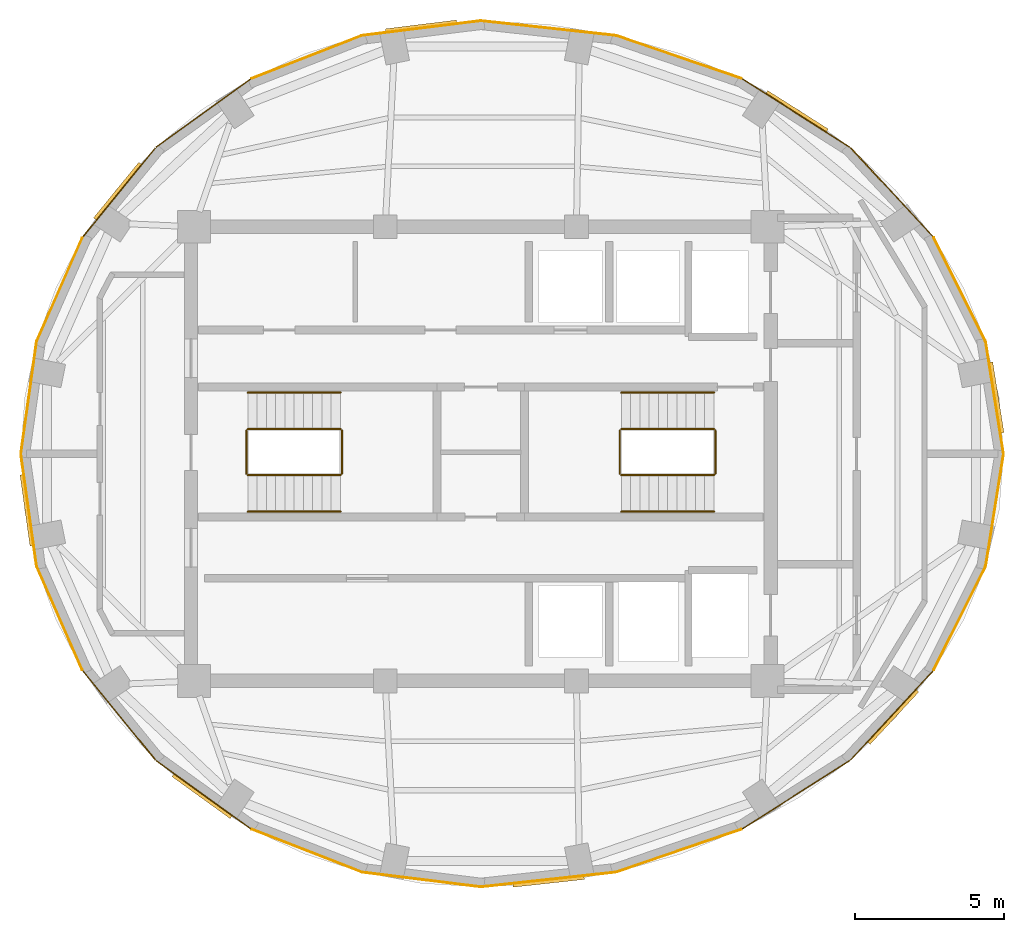
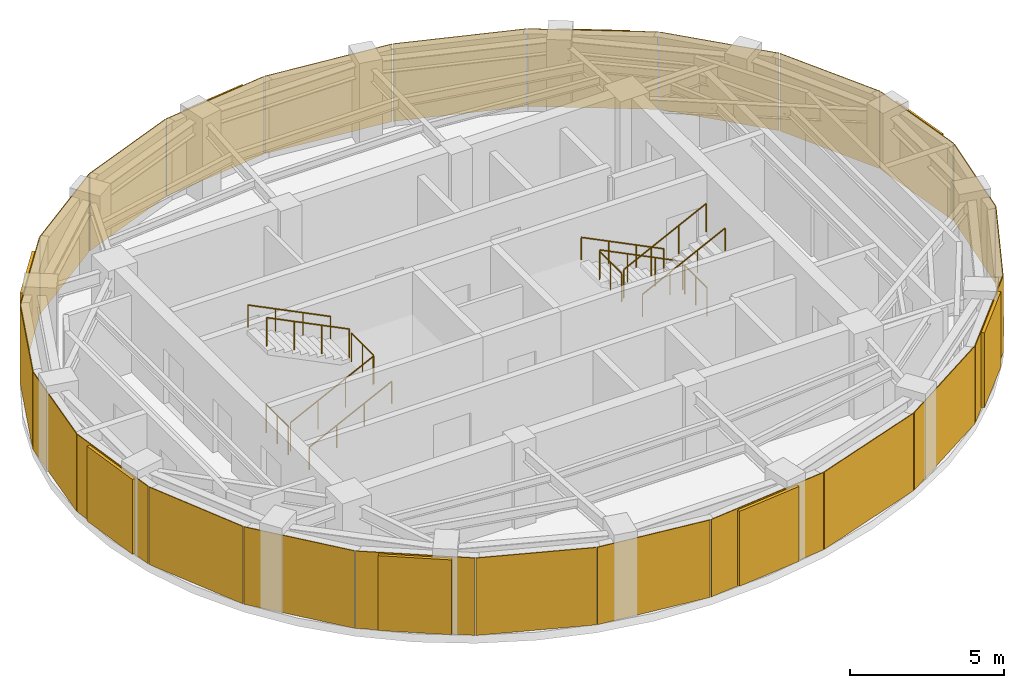
# One storey, part 5 of 5: 24 coverings, 12 railings, 8 shading devices.
"""IFC4 building model written with IfcOpenShell, lengths in metres."""

from ifc_helpers import new_model, si_unit, direction, frame, origin, origin_2d, place, context, subcontext, project, spatial, rectangle, circle, extrude, material, layer, layer_set, type_object, element, save


model = new_model("IFC4")

# Units and contexts
model_context = context("Model", 3, precision=1e-05, world=origin(), true_north=direction((0.0, 1.0)))
body_context = subcontext(model_context, "Body", "Model", "MODEL_VIEW")
ifc_project = project(units=[si_unit("LENGTHUNIT", "METRE"), si_unit("AREAUNIT", "SQUARE_METRE"), si_unit("VOLUMEUNIT", "CUBIC_METRE"), si_unit("PLANEANGLEUNIT", "RADIAN"), si_unit("MASSUNIT", "GRAM", prefix="KILO")], contexts=[model_context])

# Site, building, storey
site_placement = place(None, origin())
site = spatial("IfcSite", under=ifc_project, at=site_placement, CompositionType="ELEMENT")
building_placement = place(site_placement, origin())
building = spatial("IfcBuilding", under=site, at=building_placement, Name="Lazwardi Medical Tower", CompositionType="ELEMENT")
storey_placement = place(building_placement, frame((0.0, 0.0, 302.447998046875)))
storey = spatial("IfcBuildingStorey", under=building, at=storey_placement, Name="L79", CompositionType="ELEMENT", Elevation=302.447998046875)

# Coverings
ifc_material_1 = material(Name="Anodised bronze aluminium cassette cladding", Category="aluminium")
ifc_layer = layer(ifc_material_1, 0.030029296875)
ifc_layer_set = layer_set([ifc_layer], Name="Anodised bronze aluminium cassette cladding")
covering_type = type_object("IfcCoveringType", Name="COV-CLD-BRZ", PredefinedType="CLADDING", material=ifc_layer_set)
covering_1_placement = place(storey_placement, frame((38.260498046875, 13.752197265625, 0.0), z_axis=(0.0, 0.0, 1.0), x_axis=(0.994125867428, 0.108230123855, 0.0)))
element("IfcCovering", 1, at=covering_1_placement, inside=storey, type_object=covering_type, Name="L79 Bronzed crown drum cassette cladding", PredefinedType="CLADDING", context=body_context, shape_type="SweptSolid", body=[
    extrude(rectangle(XDim=4.514404296875, YDim=0.030029296875, at=origin_2d()), origin(), (0.0, 0.0, 1.0), 3.068115234375),
])
covering_2_placement = place(storey_placement, frame((42.62841796875, 14.72021484375, 0.0), z_axis=(0.0, 0.0, 1.0), x_axis=(0.946033335117, 0.324069327223, 0.0)))
element("IfcCovering", 2, at=covering_2_placement, inside=storey, type_object=covering_type, Name="L79 Bronzed crown drum cassette cladding", PredefinedType="CLADDING", context=body_context, shape_type="SweptSolid", body=[
    extrude(rectangle(XDim=4.420654296875, YDim=0.030029296875, at=origin_2d()), origin(), (0.0, 0.0, 1.0), 3.068115234375),
])
covering_3_placement = place(storey_placement, frame((46.547607421875, 16.591552734375, 0.0), z_axis=(0.0, 0.0, 1.0), x_axis=(0.84434288828, 0.535803216686, 0.0)))
element("IfcCovering", 3, at=covering_3_placement, inside=storey, type_object=covering_type, Name="L79 Bronzed crown drum cassette cladding", PredefinedType="CLADDING", context=body_context, shape_type="SweptSolid", body=[
    extrude(rectangle(XDim=4.253173828125, YDim=0.030029296875, at=origin_2d()), origin(), (0.0, 0.0, 1.0), 3.068115234375),
])
covering_4_placement = place(storey_placement, frame((49.751220703125, 19.240966796875, 0.0), z_axis=(0.0, 0.0, 1.0), x_axis=(0.680177307104, 0.733047632082, 0.0)))
element("IfcCovering", 4, at=covering_4_placement, inside=storey, type_object=covering_type, Name="L79 Bronzed crown drum cassette cladding", PredefinedType="CLADDING", context=body_context, shape_type="SweptSolid", body=[
    extrude(rectangle(XDim=4.051513671875, YDim=0.030029296875, at=origin_2d()), origin(), (0.0, 0.0, 1.0), 3.068115234375),
])
covering_5_placement = place(storey_placement, frame((52.019775390625, 22.49072265625, 0.0), z_axis=(0.0, 0.0, 1.0), x_axis=(0.447844918421, 0.894111250933, 0.0)))
element("IfcCovering", 5, at=covering_5_placement, inside=storey, type_object=covering_type, Name="L79 Bronzed crown drum cassette cladding", PredefinedType="CLADDING", context=body_context, shape_type="SweptSolid", body=[
    extrude(rectangle(XDim=3.8681640625, YDim=0.030029296875, at=origin_2d()), origin(), (0.0, 0.0, 1.0), 3.068115234375),
])
for number, where, z_axis, x_axis, name in (
    (6, (53.19580078125, 26.1201171875, 0.0), (0.0, 0.0, 1.0), (0.157201527183, 0.987566544518, 0.0), "L79 Bronzed crown drum cassette cladding"),
    (7, (53.19580078125, 29.8798828125, 0.0), (0.0, 0.0, 1.0), (-0.157201527183, 0.987566544518, 0.0), "L79 Bronzed crown drum cassette cladding"),
):
    element("IfcCovering", number, at=place(storey_placement, frame(where, z_axis=z_axis, x_axis=x_axis)), inside=storey, type_object=covering_type, Name=name, PredefinedType="CLADDING", context=body_context, shape_type="SweptSolid", body=[
        extrude(rectangle(XDim=3.75830078125, YDim=0.030029296875, at=origin_2d()), origin(), (0.0, 0.0, 1.0), 3.068115234375),
    ])
covering_6_placement = place(storey_placement, frame((52.019775390625, 33.50927734375, 0.0), z_axis=(0.0, 0.0, 1.0), x_axis=(-0.447844918421, 0.894111250933, 0.0)))
element("IfcCovering", 8, at=covering_6_placement, inside=storey, type_object=covering_type, Name="L79 Bronzed crown drum cassette cladding", PredefinedType="CLADDING", context=body_context, shape_type="SweptSolid", body=[
    extrude(rectangle(XDim=3.8681640625, YDim=0.030029296875, at=origin_2d()), origin(), (0.0, 0.0, 1.0), 3.068115234375),
])
covering_7_placement = place(storey_placement, frame((49.751220703125, 36.759033203125, 0.0), z_axis=(0.0, 0.0, 1.0), x_axis=(-0.680177307104, 0.733047632082, 0.0)))
element("IfcCovering", 9, at=covering_7_placement, inside=storey, type_object=covering_type, Name="L79 Bronzed crown drum cassette cladding", PredefinedType="CLADDING", context=body_context, shape_type="SweptSolid", body=[
    extrude(rectangle(XDim=4.051513671875, YDim=0.030029296875, at=origin_2d()), origin(), (0.0, 0.0, 1.0), 3.068115234375),
])
covering_8_placement = place(storey_placement, frame((46.547607421875, 39.408447265625, 0.0), z_axis=(0.0, 0.0, 1.0), x_axis=(-0.84434288828, 0.535803216686, 0.0)))
element("IfcCovering", 10, at=covering_8_placement, inside=storey, type_object=covering_type, Name="L79 Bronzed crown drum cassette cladding", PredefinedType="CLADDING", context=body_context, shape_type="SweptSolid", body=[
    extrude(rectangle(XDim=4.253173828125, YDim=0.030029296875, at=origin_2d()), origin(), (0.0, 0.0, 1.0), 3.068115234375),
])
covering_9_placement = place(storey_placement, frame((42.62841796875, 41.27978515625, 0.0), z_axis=(0.0, 0.0, 1.0), x_axis=(-0.946033335117, 0.324069327223, 0.0)))
element("IfcCovering", 11, at=covering_9_placement, inside=storey, type_object=covering_type, Name="L79 Bronzed crown drum cassette cladding", PredefinedType="CLADDING", context=body_context, shape_type="SweptSolid", body=[
    extrude(rectangle(XDim=4.420654296875, YDim=0.030029296875, at=origin_2d()), origin(), (0.0, 0.0, 1.0), 3.068115234375),
])
covering_10_placement = place(storey_placement, frame((38.260498046875, 42.247802734375, 0.0), z_axis=(0.0, 0.0, 1.0), x_axis=(-0.994125867428, 0.108230123855, 0.0)))
element("IfcCovering", 12, at=covering_10_placement, inside=storey, type_object=covering_type, Name="L79 Bronzed crown drum cassette cladding", PredefinedType="CLADDING", context=body_context, shape_type="SweptSolid", body=[
    extrude(rectangle(XDim=4.514404296875, YDim=0.030029296875, at=origin_2d()), origin(), (0.0, 0.0, 1.0), 3.068115234375),
])
covering_11_placement = place(storey_placement, frame((34.009033203125, 42.24755859375, 0.0), z_axis=(0.0, 0.0, 1.0), x_axis=(-0.992414982641, -0.122932917602, 0.0)))
element("IfcCovering", 13, at=covering_11_placement, inside=storey, type_object=covering_type, Name="L79 Bronzed crown drum cassette cladding", PredefinedType="CLADDING", context=body_context, shape_type="SweptSolid", body=[
    extrude(rectangle(XDim=3.974609375, YDim=0.030029296875, at=origin_2d()), origin(), (0.0, 0.0, 1.0), 3.068115234375),
])
covering_12_placement = place(storey_placement, frame((30.162109375, 41.277587890625, 0.0), z_axis=(0.0, 0.0, 1.0), x_axis=(-0.931730529697, -0.363150409653, 0.0)))
element("IfcCovering", 14, at=covering_12_placement, inside=storey, type_object=covering_type, Name="L79 Bronzed crown drum cassette cladding", PredefinedType="CLADDING", context=body_context, shape_type="SweptSolid", body=[
    extrude(rectangle(XDim=3.94482421875, YDim=0.030029296875, at=origin_2d()), origin(), (0.0, 0.0, 1.0), 3.068115234375),
])
covering_13_placement = place(storey_placement, frame((26.71240234375, 39.4033203125, 0.0), z_axis=(0.0, 0.0, 1.0), x_axis=(-0.810758446386, -0.585380851766, 0.0)))
element("IfcCovering", 15, at=covering_13_placement, inside=storey, type_object=covering_type, Name="L79 Bronzed crown drum cassette cladding", PredefinedType="CLADDING", context=body_context, shape_type="SweptSolid", body=[
    extrude(rectangle(XDim=3.89306640625, YDim=0.030029296875, at=origin_2d()), origin(), (0.0, 0.0, 1.0), 3.068115234375),
])
covering_14_placement = place(storey_placement, frame((23.894287109375, 36.751708984375, 0.0), z_axis=(0.0, 0.0, 1.0), x_axis=(-0.63198331542, -0.774981992714, 0.0)))
element("IfcCovering", 16, at=covering_14_placement, inside=storey, type_object=covering_type, Name="L79 Bronzed crown drum cassette cladding", PredefinedType="CLADDING", context=body_context, shape_type="SweptSolid", body=[
    extrude(rectangle(XDim=3.832275390625, YDim=0.030029296875, at=origin_2d()), origin(), (0.0, 0.0, 1.0), 3.068115234375),
])
covering_15_placement = place(storey_placement, frame((21.900390625, 33.50244140625, 0.0), z_axis=(0.0, 0.0, 1.0), x_axis=(-0.402906435714, -0.915241172621, 0.0)))
element("IfcCovering", 17, at=covering_15_placement, inside=storey, type_object=covering_type, Name="L79 Bronzed crown drum cassette cladding", PredefinedType="CLADDING", context=body_context, shape_type="SweptSolid", body=[
    extrude(rectangle(XDim=3.77880859375, YDim=0.030029296875, at=origin_2d()), origin(), (0.0, 0.0, 1.0), 3.068115234375),
])
for number, where, z_axis, x_axis, name in (
    (18, (20.8681640625, 29.876953125, 0.0), (0.0, 0.0, 1.0), (-0.138566426199, -0.990353141829, 0.0), "L79 Bronzed crown drum cassette cladding"),
    (19, (20.8681640625, 26.123046875, 0.0), (0.0, 0.0, 1.0), (0.138566426199, -0.990353141829, 0.0), "L79 Bronzed crown drum cassette cladding"),
):
    element("IfcCovering", number, at=place(storey_placement, frame(where, z_axis=z_axis, x_axis=x_axis)), inside=storey, type_object=covering_type, Name=name, PredefinedType="CLADDING", context=body_context, shape_type="SweptSolid", body=[
        extrude(rectangle(XDim=3.747802734375, YDim=0.030029296875, at=origin_2d()), origin(), (0.0, 0.0, 1.0), 3.068115234375),
    ])
covering_16_placement = place(storey_placement, frame((21.900390625, 22.49755859375, 0.0), z_axis=(0.0, 0.0, 1.0), x_axis=(0.402906435714, -0.915241172621, 0.0)))
element("IfcCovering", 20, at=covering_16_placement, inside=storey, type_object=covering_type, Name="L79 Bronzed crown drum cassette cladding", PredefinedType="CLADDING", context=body_context, shape_type="SweptSolid", body=[
    extrude(rectangle(XDim=3.77880859375, YDim=0.030029296875, at=origin_2d()), origin(), (0.0, 0.0, 1.0), 3.068115234375),
])
covering_17_placement = place(storey_placement, frame((23.894287109375, 19.248291015625, 0.0), z_axis=(0.0, 0.0, 1.0), x_axis=(0.63198331542, -0.774981992714, 0.0)))
element("IfcCovering", 21, at=covering_17_placement, inside=storey, type_object=covering_type, Name="L79 Bronzed crown drum cassette cladding", PredefinedType="CLADDING", context=body_context, shape_type="SweptSolid", body=[
    extrude(rectangle(XDim=3.832275390625, YDim=0.030029296875, at=origin_2d()), origin(), (0.0, 0.0, 1.0), 3.068115234375),
])
covering_18_placement = place(storey_placement, frame((26.71240234375, 16.5966796875, 0.0), z_axis=(0.0, 0.0, 1.0), x_axis=(0.810758446386, -0.585380851766, 0.0)))
element("IfcCovering", 22, at=covering_18_placement, inside=storey, type_object=covering_type, Name="L79 Bronzed crown drum cassette cladding", PredefinedType="CLADDING", context=body_context, shape_type="SweptSolid", body=[
    extrude(rectangle(XDim=3.89306640625, YDim=0.030029296875, at=origin_2d()), origin(), (0.0, 0.0, 1.0), 3.068115234375),
])
covering_19_placement = place(storey_placement, frame((30.162109375, 14.722412109375, 0.0), z_axis=(0.0, 0.0, 1.0), x_axis=(0.931730529697, -0.363150409653, 0.0)))
element("IfcCovering", 23, at=covering_19_placement, inside=storey, type_object=covering_type, Name="L79 Bronzed crown drum cassette cladding", PredefinedType="CLADDING", context=body_context, shape_type="SweptSolid", body=[
    extrude(rectangle(XDim=3.94482421875, YDim=0.030029296875, at=origin_2d()), origin(), (0.0, 0.0, 1.0), 3.068115234375),
])
covering_20_placement = place(storey_placement, frame((34.009033203125, 13.75244140625, 0.0), z_axis=(0.0, 0.0, 1.0), x_axis=(0.992414982641, -0.122932917602, 0.0)))
element("IfcCovering", 24, at=covering_20_placement, inside=storey, type_object=covering_type, Name="L79 Bronzed crown drum cassette cladding", PredefinedType="CLADDING", context=body_context, shape_type="SweptSolid", body=[
    extrude(rectangle(XDim=3.974609375, YDim=0.030029296875, at=origin_2d()), origin(), (0.0, 0.0, 1.0), 3.068115234375),
])

# Railings
ifc_material_2 = material(Name="Stainless steel Grade 316", Category="steel")
railing_type_1 = type_object("IfcRailingType", Name="RLG-GRD-1150", PredefinedType="GUARDRAIL", material=ifc_material_2)
railing_1_placement = place(storey_placement, frame((28.199951171875, 27.2900390625, 0.154052734375)))
element("IfcRailing", 25, at=railing_1_placement, inside=storey, type_object=railing_type_1, Name="L79 ST1 stair guard 1", PredefinedType="GUARDRAIL", context=body_context, shape_type="SweptSolid", body=[
    extrude(circle(Radius=0.02392578125, at=origin_2d()), frame((0.0, 0.0, 1.1259765625), z_axis=(0.895580879637, 0.0, 0.444898739073), x_axis=(0.0, 1.0, 0.0)), (0.0, 0.0, 1.0), 3.461669921875),
    extrude(circle(Radius=0.02099609375, at=origin_2d()), origin(), (0.0, 0.0, 1.0), 1.099853515625),
    extrude(circle(Radius=0.02099609375, at=origin_2d()), frame((1.033447265625, 0.0, 0.513427734375)), (0.0, 0.0, 1.0), 1.099853515625),
    extrude(circle(Radius=0.02099609375, at=origin_2d()), frame((2.066650390625, 0.0, 1.026611328125)), (0.0, 0.0, 1.0), 1.099853515625),
    extrude(circle(Radius=0.02099609375, at=origin_2d()), frame((3.10009765625, 0.0, 1.5400390625)), (0.0, 0.0, 1.0), 1.099853515625),
])
railing_2_placement = place(storey_placement, frame((31.35009765625, 27.340087890625, 1.694091796875)))
element("IfcRailing", 26, at=railing_2_placement, inside=storey, type_object=railing_type_1, Name="L79 ST1 stair guard 2", PredefinedType="GUARDRAIL", context=body_context, shape_type="SweptSolid", body=[
    extrude(circle(Radius=0.02392578125, at=origin_2d()), frame((0.0, 0.0, 1.1259765625), z_axis=(0.0, 1.0, 0.0), x_axis=(-1.0, 0.0, 0.0)), (0.0, 0.0, 1.0), 1.43994140625),
    extrude(circle(Radius=0.02099609375, at=origin_2d()), origin(), (0.0, 0.0, 1.0), 1.099853515625),
    extrude(circle(Radius=0.02099609375, at=origin_2d()), frame((0.0, 0.719970703125, 0.0)), (0.0, 0.0, 1.0), 1.099853515625),
    extrude(circle(Radius=0.02099609375, at=origin_2d()), frame((0.0, 1.43994140625, 0.0)), (0.0, 0.0, 1.0), 1.099853515625),
])
railing_3_placement = place(storey_placement, frame((31.300048828125, 28.830078125, 1.847900390625)))
element("IfcRailing", 27, at=railing_3_placement, inside=storey, type_object=railing_type_1, Name="L79 ST1 stair guard 3", PredefinedType="GUARDRAIL", context=body_context, shape_type="SweptSolid", body=[
    extrude(circle(Radius=0.02392578125, at=origin_2d()), frame((0.0, 0.0, 1.1259765625), z_axis=(-0.895580879637, 0.0, 0.444898739073), x_axis=(0.0, -1.0, 0.0)), (0.0, 0.0, 1.0), 3.461669921875),
    extrude(circle(Radius=0.02099609375, at=origin_2d()), origin(), (0.0, 0.0, 1.0), 1.099853515625),
    extrude(circle(Radius=0.02099609375, at=origin_2d()), frame((-1.033447265625, 0.0, 0.513427734375)), (0.0, 0.0, 1.0), 1.099853515625),
    extrude(circle(Radius=0.02099609375, at=origin_2d()), frame((-2.066650390625, 0.0, 1.026611328125)), (0.0, 0.0, 1.0), 1.099853515625),
    extrude(circle(Radius=0.02099609375, at=origin_2d()), frame((-3.10009765625, 0.0, 1.5400390625)), (0.0, 0.0, 1.0), 1.099853515625),
])
railing_4_placement = place(storey_placement, frame((28.14990234375, 27.340087890625, 0.0)))
element("IfcRailing", 28, at=railing_4_placement, inside=storey, type_object=railing_type_1, Name="L79 ST1 stair guard 4", PredefinedType="GUARDRAIL", context=body_context, shape_type="SweptSolid", body=[
    extrude(circle(Radius=0.02392578125, at=origin_2d()), frame((0.0, 0.0, 1.1259765625), z_axis=(0.0, 1.0, 0.0), x_axis=(-1.0, 0.0, 0.0)), (0.0, 0.0, 1.0), 1.43994140625),
    extrude(circle(Radius=0.02099609375, at=origin_2d()), origin(), (0.0, 0.0, 1.0), 1.099853515625),
    extrude(circle(Radius=0.02099609375, at=origin_2d()), frame((0.0, 0.719970703125, 0.0)), (0.0, 0.0, 1.0), 1.099853515625),
    extrude(circle(Radius=0.02099609375, at=origin_2d()), frame((0.0, 1.43994140625, 0.0)), (0.0, 0.0, 1.0), 1.099853515625),
])
railing_5_placement = place(storey_placement, frame((43.800048828125, 28.830078125, 0.154052734375)))
element("IfcRailing", 29, at=railing_5_placement, inside=storey, type_object=railing_type_1, Name="L79 ST2 stair guard 1", PredefinedType="GUARDRAIL", context=body_context, shape_type="SweptSolid", body=[
    extrude(circle(Radius=0.02392578125, at=origin_2d()), frame((0.0, 0.0, 1.1259765625), z_axis=(-0.895580879637, 0.0, 0.444898739073), x_axis=(0.0, -1.0, 0.0)), (0.0, 0.0, 1.0), 3.461669921875),
    extrude(circle(Radius=0.02099609375, at=origin_2d()), origin(), (0.0, 0.0, 1.0), 1.099853515625),
    extrude(circle(Radius=0.02099609375, at=origin_2d()), frame((-1.033447265625, 0.0, 0.513427734375)), (0.0, 0.0, 1.0), 1.099853515625),
    extrude(circle(Radius=0.02099609375, at=origin_2d()), frame((-2.066650390625, 0.0, 1.026611328125)), (0.0, 0.0, 1.0), 1.099853515625),
    extrude(circle(Radius=0.02099609375, at=origin_2d()), frame((-3.10009765625, 0.0, 1.5400390625)), (0.0, 0.0, 1.0), 1.099853515625),
])
railing_6_placement = place(storey_placement, frame((40.64990234375, 28.780029296875, 1.694091796875)))
element("IfcRailing", 30, at=railing_6_placement, inside=storey, type_object=railing_type_1, Name="L79 ST2 stair guard 2", PredefinedType="GUARDRAIL", context=body_context, shape_type="SweptSolid", body=[
    extrude(circle(Radius=0.02392578125, at=origin_2d()), frame((0.0, 0.0, 1.1259765625), z_axis=(0.0, -1.0, 0.0), x_axis=(1.0, 0.0, 0.0)), (0.0, 0.0, 1.0), 1.43994140625),
    extrude(circle(Radius=0.02099609375, at=origin_2d()), origin(), (0.0, 0.0, 1.0), 1.099853515625),
    extrude(circle(Radius=0.02099609375, at=origin_2d()), frame((0.0, -0.719970703125, 0.0)), (0.0, 0.0, 1.0), 1.099853515625),
    extrude(circle(Radius=0.02099609375, at=origin_2d()), frame((0.0, -1.43994140625, 0.0)), (0.0, 0.0, 1.0), 1.099853515625),
])
railing_7_placement = place(storey_placement, frame((40.699951171875, 27.2900390625, 1.847900390625)))
element("IfcRailing", 31, at=railing_7_placement, inside=storey, type_object=railing_type_1, Name="L79 ST2 stair guard 3", PredefinedType="GUARDRAIL", context=body_context, shape_type="SweptSolid", body=[
    extrude(circle(Radius=0.02392578125, at=origin_2d()), frame((0.0, 0.0, 1.1259765625), z_axis=(0.895580879637, 0.0, 0.444898739073), x_axis=(0.0, 1.0, 0.0)), (0.0, 0.0, 1.0), 3.461669921875),
    extrude(circle(Radius=0.02099609375, at=origin_2d()), origin(), (0.0, 0.0, 1.0), 1.099853515625),
    extrude(circle(Radius=0.02099609375, at=origin_2d()), frame((1.033447265625, 0.0, 0.513427734375)), (0.0, 0.0, 1.0), 1.099853515625),
    extrude(circle(Radius=0.02099609375, at=origin_2d()), frame((2.066650390625, 0.0, 1.026611328125)), (0.0, 0.0, 1.0), 1.099853515625),
    extrude(circle(Radius=0.02099609375, at=origin_2d()), frame((3.10009765625, 0.0, 1.5400390625)), (0.0, 0.0, 1.0), 1.099853515625),
])
railing_8_placement = place(storey_placement, frame((43.85009765625, 28.780029296875, 0.0)))
element("IfcRailing", 32, at=railing_8_placement, inside=storey, type_object=railing_type_1, Name="L79 ST2 stair guard 4", PredefinedType="GUARDRAIL", context=body_context, shape_type="SweptSolid", body=[
    extrude(circle(Radius=0.02392578125, at=origin_2d()), frame((0.0, 0.0, 1.1259765625), z_axis=(0.0, -1.0, 0.0), x_axis=(1.0, 0.0, 0.0)), (0.0, 0.0, 1.0), 1.43994140625),
    extrude(circle(Radius=0.02099609375, at=origin_2d()), origin(), (0.0, 0.0, 1.0), 1.099853515625),
    extrude(circle(Radius=0.02099609375, at=origin_2d()), frame((0.0, -0.719970703125, 0.0)), (0.0, 0.0, 1.0), 1.099853515625),
    extrude(circle(Radius=0.02099609375, at=origin_2d()), frame((0.0, -1.43994140625, 0.0)), (0.0, 0.0, 1.0), 1.099853515625),
])
railing_type_2 = type_object("IfcRailingType", Name="RLG-HND-920", PredefinedType="HANDRAIL", material=ifc_material_2)
railing_9_placement = place(storey_placement, frame((28.199951171875, 26.070068359375, 0.154052734375)))
element("IfcRailing", 33, at=railing_9_placement, inside=storey, type_object=railing_type_2, Name="L79 ST1 stair handrail 1", PredefinedType="HANDRAIL", context=body_context, shape_type="SweptSolid", body=[
    extrude(circle(Radius=0.02392578125, at=origin_2d()), frame((0.0, 0.0, 0.8857421875), z_axis=(0.895580879637, 0.0, 0.444898739073), x_axis=(0.0, 1.0, 0.0)), (0.0, 0.0, 1.0), 3.461669921875),
    extrude(circle(Radius=0.02099609375, at=origin_2d()), origin(), (0.0, 0.0, 1.0), 0.85986328125),
    extrude(circle(Radius=0.02099609375, at=origin_2d()), frame((1.033447265625, 0.0, 0.513427734375)), (0.0, 0.0, 1.0), 0.85986328125),
    extrude(circle(Radius=0.02099609375, at=origin_2d()), frame((2.066650390625, 0.0, 1.026611328125)), (0.0, 0.0, 1.0), 0.85986328125),
    extrude(circle(Radius=0.02099609375, at=origin_2d()), frame((3.10009765625, 0.0, 1.5400390625)), (0.0, 0.0, 1.0), 0.85986328125),
])
for number, where, name in (
    (34, (31.300048828125, 30.050048828125, 1.847900390625), "L79 ST1 stair handrail 2"),
    (35, (43.800048828125, 30.050048828125, 0.154052734375), "L79 ST2 stair handrail 1"),
):
    element("IfcRailing", number, at=place(storey_placement, frame(where)), inside=storey, type_object=railing_type_2, Name=name, PredefinedType="HANDRAIL", context=body_context, shape_type="SweptSolid", body=[
        extrude(circle(Radius=0.02392578125, at=origin_2d()), frame((0.0, 0.0, 0.8857421875), z_axis=(-0.895580879637, 0.0, 0.444898739073), x_axis=(0.0, -1.0, 0.0)), (0.0, 0.0, 1.0), 3.461669921875),
        extrude(circle(Radius=0.02099609375, at=origin_2d()), origin(), (0.0, 0.0, 1.0), 0.85986328125),
        extrude(circle(Radius=0.02099609375, at=origin_2d()), frame((-1.033447265625, 0.0, 0.513427734375)), (0.0, 0.0, 1.0), 0.85986328125),
        extrude(circle(Radius=0.02099609375, at=origin_2d()), frame((-2.066650390625, 0.0, 1.026611328125)), (0.0, 0.0, 1.0), 0.85986328125),
        extrude(circle(Radius=0.02099609375, at=origin_2d()), frame((-3.10009765625, 0.0, 1.5400390625)), (0.0, 0.0, 1.0), 0.85986328125),
    ])
railing_10_placement = place(storey_placement, frame((40.699951171875, 26.070068359375, 1.847900390625)))
element("IfcRailing", 36, at=railing_10_placement, inside=storey, type_object=railing_type_2, Name="L79 ST2 stair handrail 2", PredefinedType="HANDRAIL", context=body_context, shape_type="SweptSolid", body=[
    extrude(circle(Radius=0.02392578125, at=origin_2d()), frame((0.0, 0.0, 0.8857421875), z_axis=(0.895580879637, 0.0, 0.444898739073), x_axis=(0.0, 1.0, 0.0)), (0.0, 0.0, 1.0), 3.461669921875),
    extrude(circle(Radius=0.02099609375, at=origin_2d()), origin(), (0.0, 0.0, 1.0), 0.85986328125),
    extrude(circle(Radius=0.02099609375, at=origin_2d()), frame((1.033447265625, 0.0, 0.513427734375)), (0.0, 0.0, 1.0), 0.85986328125),
    extrude(circle(Radius=0.02099609375, at=origin_2d()), frame((2.066650390625, 0.0, 1.026611328125)), (0.0, 0.0, 1.0), 0.85986328125),
    extrude(circle(Radius=0.02099609375, at=origin_2d()), frame((3.10009765625, 0.0, 1.5400390625)), (0.0, 0.0, 1.0), 0.85986328125),
])

# Shading devices
ifc_material_3 = material(Name="Anodised bronze aluminium storm louvre", Category="aluminium")
shading_device_type_1 = type_object("IfcShadingDeviceType", Name="SHD-LVR-01", PredefinedType="JALOUSIE", material=ifc_material_3)
for number, where, z_axis, x_axis, name in (
    (37, (38.2666015625, 13.695556640625, 0.0498046875), (0.0, 0.0, 1.0), (0.994125867428, 0.108230123855, 0.0), "L79 Crown Acoustic Storm Louvre 01"),
    (38, (53.251953125, 29.888916015625, 0.0498046875), (0.0, 0.0, 1.0), (-0.157201527183, 0.987566544518, 0.0), "L79 Crown Acoustic Storm Louvre 07"),
    (39, (34.001953125, 42.30419921875, 0.0498046875), (0.0, 0.0, 1.0), (-0.992414982641, -0.122932917602, 0.0), "L79 Crown Acoustic Storm Louvre 13"),
    (40, (20.811767578125, 26.115234375, 0.0498046875), (0.0, 0.0, 1.0), (0.138566426199, -0.990353141829, 0.0), "L79 Crown Acoustic Storm Louvre 19"),
):
    element("IfcShadingDevice", number, at=place(storey_placement, frame(where, z_axis=z_axis, x_axis=x_axis)), inside=storey, type_object=shading_device_type_1, Name=name, PredefinedType="JALOUSIE", context=body_context, shape_type="SweptSolid", body=[
        extrude(rectangle(XDim=2.39990234375, YDim=0.139892578125, at=origin_2d()), origin(), (0.0, 0.0, 1.0), 2.968017578125),
    ])
ifc_material_4 = material(Name="Perforated bronze girih solar screen", Category="aluminium")
shading_device_type_2 = type_object("IfcShadingDeviceType", Name="SHD-SCR-01", PredefinedType="USERDEFINED", material=ifc_material_4)
for number, where, z_axis, x_axis, name in (
    (41, (49.79296875, 19.2021484375, 0.0498046875), (0.0, 0.0, 1.0), (0.680177307104, 0.733047632082, 0.0), "L79 Crown Bronze Girih Screen 04"),
    (42, (46.578125, 39.456787109375, 0.0498046875), (0.0, 0.0, 1.0), (-0.84434288828, 0.535803216686, 0.0), "L79 Crown Bronze Girih Screen 10"),
    (43, (23.85009765625, 36.78759765625, 0.0498046875), (0.0, 0.0, 1.0), (-0.63198331542, -0.774981992714, 0.0), "L79 Crown Bronze Girih Screen 16"),
    (44, (26.678955078125, 16.55029296875, 0.0498046875), (0.0, 0.0, 1.0), (0.810758446386, -0.585380851766, 0.0), "L79 Crown Bronze Girih Screen 22"),
):
    element("IfcShadingDevice", number, at=place(storey_placement, frame(where, z_axis=z_axis, x_axis=x_axis)), inside=storey, type_object=shading_device_type_2, Name=name, ObjectType="SCREEN", PredefinedType="USERDEFINED", context=body_context, shape_type="SweptSolid", body=[
        extrude(rectangle(XDim=2.39990234375, YDim=0.139892578125, at=origin_2d()), origin(), (0.0, 0.0, 1.0), 2.968017578125),
    ])

save(model, "model.ifc")
